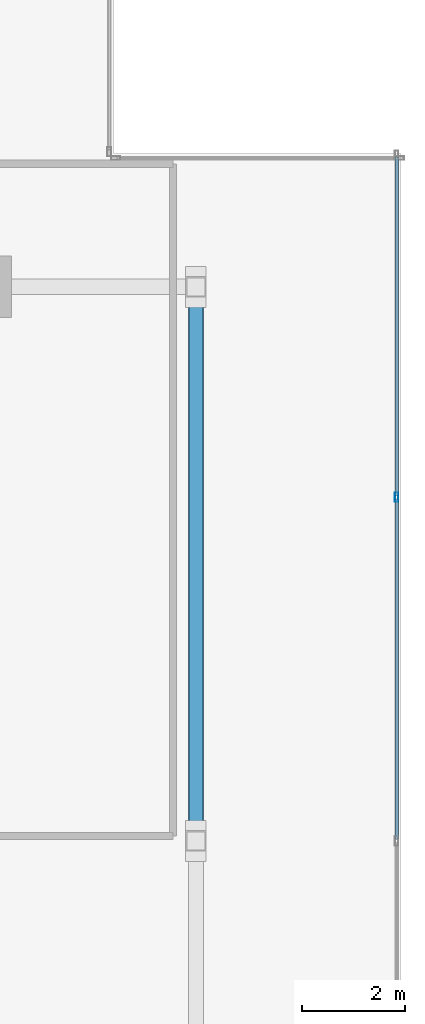
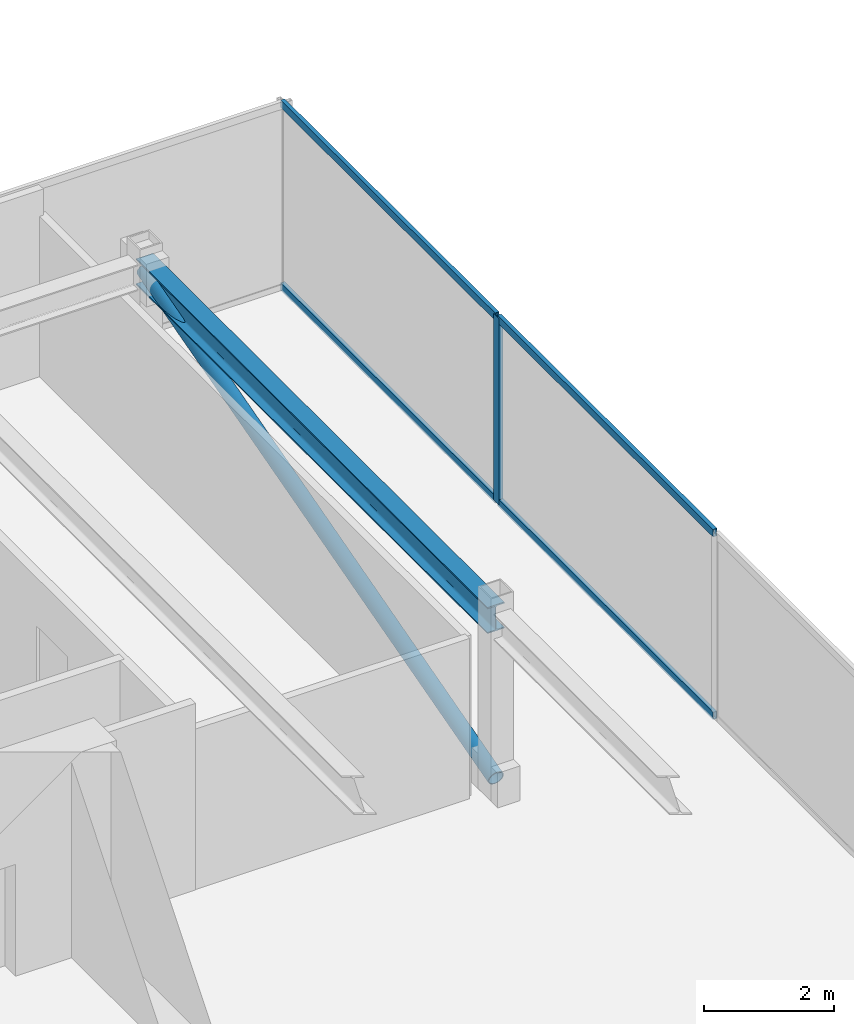
# One storey, part 18 of 25: 6 members, 1 beam, 1 element without a shape of its own.
"""IFC4 building model written with IfcOpenShell, lengths in metres."""

from ifc_helpers import new_model, si_unit, direction, frame, origin, origin_2d, place, context, subcontext, project, spatial, hollow_rectangle, hollow_circle, i_section, extrude, source, transform, mapped, material, material_profile, profile_set, type_object, type_shapes, element, aggregate, save


model = new_model("IFC4")

# Units and contexts
model_context = context("Model", 3, precision=1e-05, world=origin(), true_north=direction((0.0, 1.0)))
body_context = subcontext(model_context, "Body", "Model", "MODEL_VIEW")
ifc_project = project(units=[si_unit("LENGTHUNIT", "METRE"), si_unit("AREAUNIT", "SQUARE_METRE"), si_unit("VOLUMEUNIT", "CUBIC_METRE"), si_unit("PLANEANGLEUNIT", "RADIAN"), si_unit("MASSUNIT", "GRAM", prefix="KILO")], contexts=[model_context])

# Site, building, storey
site_placement = place(None, origin())
site = spatial("IfcSite", under=ifc_project, at=site_placement, CompositionType="ELEMENT")
building_placement = place(site_placement, origin())
building = spatial("IfcBuilding", under=site, at=building_placement, Name="Krantzveldt Concourse Tower", CompositionType="ELEMENT")
storey_placement = place(building_placement, frame((0.0, 0.0, 370.85009765625)))
storey = spatial("IfcBuildingStorey", under=building, at=storey_placement, Name="L91", CompositionType="ELEMENT", Elevation=370.85009765625)

# Beam
ifc_material_1 = material(Name="Steel S355JR", Category="steel")
ifc_material_profile_1 = material_profile(ifc_material_1, i_section(OverallWidth=0.300048828125, OverallDepth=0.489990234375, WebThickness=0.011962890625, FlangeThickness=0.02294921875, FilletRadius=0.027099609375, at=origin_2d()), Name="Steel S355JR", Category="steel")
ifc_profile_set_1 = profile_set([ifc_material_profile_1], Name="Steel S355JR - HEA 500")
beam_type = type_object("IfcBeamType", Name="BM-B-HEA500", PredefinedType="BEAM", material=ifc_profile_set_1)
shared_shape_1 = source(origin(), body_context, "Body", "SweptSolid", [
    extrude(i_section(OverallWidth=0.300048828125, OverallDepth=0.489990234375, WebThickness=0.011962890625, FlangeThickness=0.02294921875, FilletRadius=0.027099609375, at=origin_2d()), origin(), (0.0, 0.0, 1.0), 10.800048828125),
])
type_shapes(beam_type, [shared_shape_1])
beam_placement = place(storey_placement, frame((51.0, 26.699951171875, 3.2548828125), z_axis=(0.0, 1.0, 0.0), x_axis=(-1.0, 0.0, 0.0)))
element("IfcBeam", 1, at=beam_placement, inside=storey, type_object=beam_type, Name="L91 Crown Girder EAST-2", PredefinedType="BEAM", context=body_context, shape_type="MappedRepresentation", body=[
    mapped(shared_shape_1, transform((0.0, 0.0, 0.0), x_axis=(1.0, 0.0, 0.0), y_axis=(0.0, 1.0, 0.0), z_axis=(0.0, 0.0, 1.0), scale=1.0)),
])

# Member
ifc_material_2 = material(Name="Steel S355J2", Category="steel")
ifc_material_profile_2 = material_profile(ifc_material_2, hollow_circle(Radius=0.136474609375, WallThickness=0.01611328125, at=origin_2d()), Name="Steel S355J2", Category="steel")
ifc_profile_set_2 = profile_set([ifc_material_profile_2], Name="Steel S355J2 - CHS 273x16")
member_type_1 = type_object("IfcMemberType", Name="MB-CB-CHS273", PredefinedType="BRACE", material=ifc_profile_set_2)
shared_shape_2 = source(origin(), body_context, "Body", "SweptSolid", [
    extrude(hollow_circle(Radius=0.136474609375, WallThickness=0.01611328125, at=origin_2d()), origin(), (0.0, 0.0, 1.0), 11.208984375),
])
type_shapes(member_type_1, [shared_shape_2])
member_1_placement = place(storey_placement, frame((51.0, 26.699951171875, 0.25), z_axis=(0.0, 0.963518221675, 0.26764274042), x_axis=(-1.0, 0.0, 0.0)))
element("IfcMember", 2, at=member_1_placement, inside=storey, type_object=member_type_1, Name="Brace Diagonal CBR-L91-EAST", PredefinedType="BRACE", context=body_context, shape_type="MappedRepresentation", body=[
    mapped(shared_shape_2, transform((0.0, 0.0, 0.0), x_axis=(1.0, 0.0, 0.0), y_axis=(0.0, 1.0, 0.0), z_axis=(0.0, 0.0, 1.0), scale=1.0)),
])

# Curtain wall, members
ifc_material_3 = material(Name="Anodised aluminium 6063-T6", Category="aluminium")
curtain_wall_type = type_object("IfcCurtainWallType", Name="CW7", PredefinedType="USERDEFINED", material=ifc_material_3)
curtain_wall_placement = place(storey_placement, origin())
curtain_wall = element("IfcCurtainWall", 3, at=curtain_wall_placement, inside=storey, type_object=curtain_wall_type, Name="CW-L91-EAST-03", ObjectType="UNITISED CURTAIN WALL", PredefinedType="USERDEFINED")
ifc_material_profile_3 = material_profile(ifc_material_3, hollow_rectangle(XDim=0.070068359375, YDim=0.139892578125, WallThickness=0.0048828125, at=origin_2d()), Name="Anodised aluminium 6063-T6", Category="aluminium")
ifc_profile_set_3 = profile_set([ifc_material_profile_3], Name="Anodised aluminium 6063-T6 - ALU-TRAN 140x70x5")
member_type_2 = type_object("IfcMemberType", Name="CW-TRN-150", PredefinedType="USERDEFINED", material=ifc_profile_set_3)
shared_shape_3 = source(origin(), body_context, "Body", "SweptSolid", [
    extrude(hollow_rectangle(XDim=0.070068359375, YDim=0.139892578125, WallThickness=0.0048828125, at=origin_2d()), origin(), (0.0, 0.0, 1.0), 6.594970703125),
])
member_2_placement = place(storey_placement, frame((54.909912109375, 33.43505859375, 0.034912109375), z_axis=(0.0, 1.0, 0.0), x_axis=(-1.0, 0.0, 0.0)))
member_2 = element("IfcMember", 4, at=member_2_placement, type_object=member_type_2, Name="CW-CRN transom 4.1", ObjectType="TRANSOM", PredefinedType="USERDEFINED", context=body_context, shape_type="MappedRepresentation", body=[
    mapped(shared_shape_3, transform((0.0, 0.0, 0.0), x_axis=(1.0, 0.0, 0.0), y_axis=(0.0, 1.0, 0.0), z_axis=(0.0, 0.0, 1.0), scale=1.0)),
])
member_3_placement = place(storey_placement, frame((54.909912109375, 33.43505859375, 3.46484375), z_axis=(0.0, 1.0, 0.0), x_axis=(-1.0, 0.0, 0.0)))
member_3 = element("IfcMember", 5, at=member_3_placement, type_object=member_type_2, Name="CW-CRN transom 4.2", ObjectType="TRANSOM", PredefinedType="USERDEFINED", context=body_context, shape_type="MappedRepresentation", body=[
    mapped(shared_shape_3, transform((0.0, 0.0, 0.0), x_axis=(1.0, 0.0, 0.0), y_axis=(0.0, 1.0, 0.0), z_axis=(0.0, 0.0, 1.0), scale=1.0)),
])
shared_shape_4 = source(origin(), body_context, "Body", "SweptSolid", [
    extrude(hollow_rectangle(XDim=0.070068359375, YDim=0.139892578125, WallThickness=0.0048828125, at=origin_2d()), origin(), (0.0, 0.0, 1.0), 6.6298828125),
])
type_shapes(member_type_2, [shared_shape_3, shared_shape_4])
member_4_placement = place(storey_placement, frame((54.909912109375, 26.735107421875, 0.034912109375), z_axis=(0.0, 1.0, 0.0), x_axis=(-1.0, 0.0, 0.0)))
member_4 = element("IfcMember", 6, at=member_4_placement, type_object=member_type_2, Name="CW-CRN transom 3.1", ObjectType="TRANSOM", PredefinedType="USERDEFINED", context=body_context, shape_type="MappedRepresentation", body=[
    mapped(shared_shape_4, transform((0.0, 0.0, 0.0), x_axis=(1.0, 0.0, 0.0), y_axis=(0.0, 1.0, 0.0), z_axis=(0.0, 0.0, 1.0), scale=1.0)),
])
member_5_placement = place(storey_placement, frame((54.909912109375, 26.735107421875, 3.46484375), z_axis=(0.0, 1.0, 0.0), x_axis=(-1.0, 0.0, 0.0)))
member_5 = element("IfcMember", 7, at=member_5_placement, type_object=member_type_2, Name="CW-CRN transom 3.2", ObjectType="TRANSOM", PredefinedType="USERDEFINED", context=body_context, shape_type="MappedRepresentation", body=[
    mapped(shared_shape_4, transform((0.0, 0.0, 0.0), x_axis=(1.0, 0.0, 0.0), y_axis=(0.0, 1.0, 0.0), z_axis=(0.0, 0.0, 1.0), scale=1.0)),
])
ifc_material_profile_4 = material_profile(ifc_material_3, hollow_rectangle(XDim=0.070068359375, YDim=0.179931640625, WallThickness=0.0048828125, at=origin_2d()), Name="Anodised aluminium 6063-T6", Category="aluminium")
ifc_profile_set_4 = profile_set([ifc_material_profile_4], Name="Anodised aluminium 6063-T6 - ALU-MULL 180x70x5")
member_type_3 = type_object("IfcMemberType", Name="CW-MUL-180", PredefinedType="MULLION", material=ifc_profile_set_4)
shared_shape_5 = source(origin(), body_context, "Body", "SweptSolid", [
    extrude(hollow_rectangle(XDim=0.070068359375, YDim=0.179931640625, WallThickness=0.0048828125, at=origin_2d()), origin(), (0.0, 0.0, 1.0), 3.5),
])
type_shapes(member_type_3, [shared_shape_5])
member_6_placement = place(storey_placement, frame((54.909912109375, 33.39990234375, 0.0), z_axis=(0.0, 0.0, 1.0), x_axis=(-1.0, 0.0, 0.0)))
member_6 = element("IfcMember", 8, at=member_6_placement, type_object=member_type_3, Name="CW-CRN mullion 4", PredefinedType="MULLION", context=body_context, shape_type="MappedRepresentation", body=[
    mapped(shared_shape_5, transform((0.0, 0.0, 0.0), x_axis=(1.0, 0.0, 0.0), y_axis=(0.0, 1.0, 0.0), z_axis=(0.0, 0.0, 1.0), scale=1.0)),
])
aggregate(curtain_wall, [member_6, member_4, member_5, member_2, member_3])

save(model, "model.ifc")
